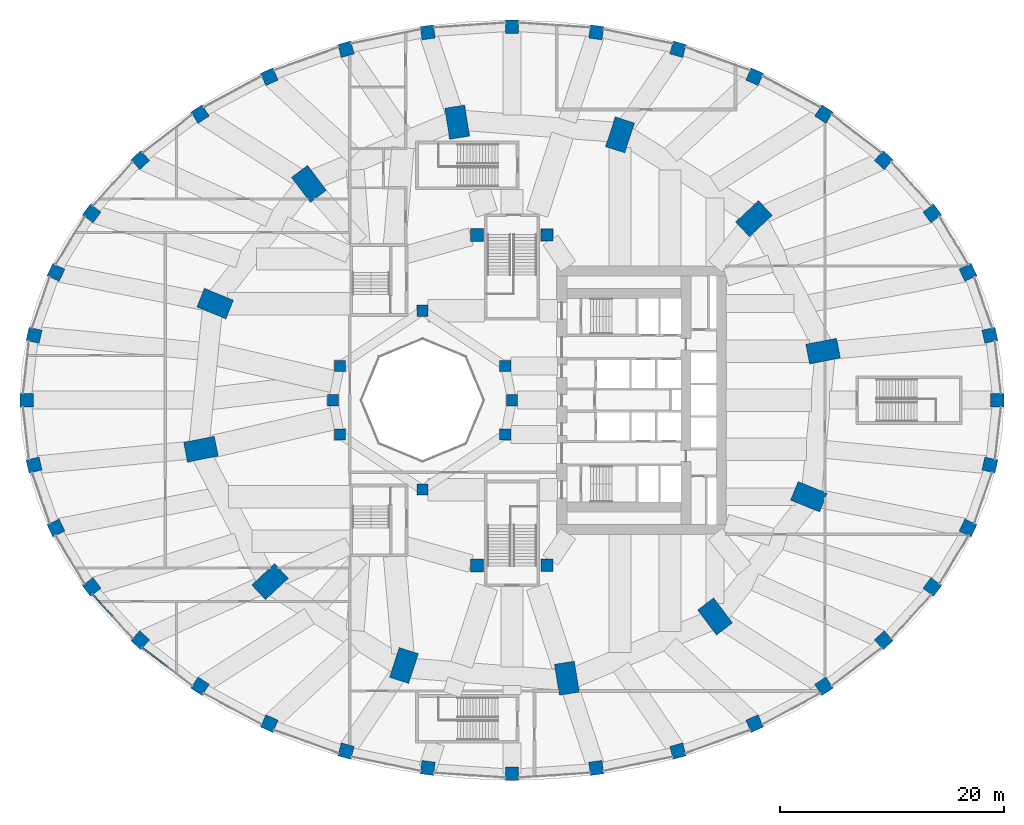
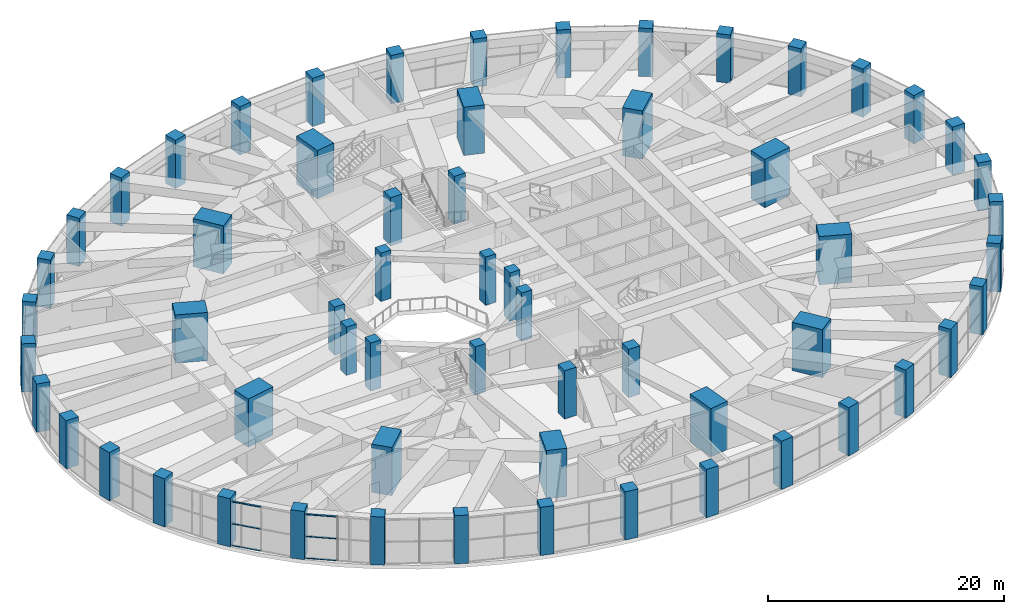
# One storey, part 1 of 32: 60 columns, 6 members, 2 elements without a shape of their own.
"""IFC4 building model written with IfcOpenShell, lengths in metres."""

from ifc_helpers import new_model, si_unit, direction, frame, origin, origin_2d, place, context, subcontext, project, spatial, rectangle, extrude, material, material_profile, profile_set, type_object, element, aggregate, save


model = new_model("IFC4")

# Units and contexts
model_context = context("Model", 3, precision=1e-05, world=origin(), true_north=direction((0.0, 1.0)))
body_context = subcontext(model_context, "Body", "Model", "MODEL_VIEW")
ifc_project = project(units=[si_unit("LENGTHUNIT", "METRE"), si_unit("AREAUNIT", "SQUARE_METRE"), si_unit("VOLUMEUNIT", "CUBIC_METRE"), si_unit("PLANEANGLEUNIT", "RADIAN"), si_unit("MASSUNIT", "GRAM", prefix="KILO")], contexts=[model_context])

# Site, building, storey
site_placement = place(None, origin())
site = spatial("IfcSite", under=ifc_project, at=site_placement, CompositionType="ELEMENT")
building_placement = place(site_placement, origin())
building = spatial("IfcBuilding", under=site, at=building_placement, Name="Taillehof Tower", CompositionType="ELEMENT")
storey_placement = place(building_placement, frame((0.0, 0.0, 7.5)))
storey = spatial("IfcBuildingStorey", under=building, at=storey_placement, Name="L01", CompositionType="ELEMENT", Elevation=7.5)

# Columns
ifc_material_1 = material(Name="Concrete C50/60", Category="concrete")
ifc_material_profile_1 = material_profile(ifc_material_1, rectangle(XDim=1.0, YDim=1.0, at=origin_2d()), Name="RC 1000x1000")
ifc_profile_set_1 = profile_set([ifc_material_profile_1], Name="Concrete C50/60")
column_type_1 = type_object("IfcColumnType", Name="Atrium ring column C50/60 1000x1000", PredefinedType="COLUMN", material=ifc_profile_set_1)
for number, where, z_axis, x_axis, name in (
    (1, (0.0, 0.0, 0.0), (0.0, 0.0, 1.0), (1.0, 0.0, 0.0), "Column AC01"),
    (2, (-16.0, 0.0, 0.0), (0.0, 0.0, 1.0), (1.0, 0.0, 0.0), "Column AC09"),
):
    element("IfcColumn", number, at=place(storey_placement, frame(where, z_axis=z_axis, x_axis=x_axis)), inside=storey, type_object=column_type_1, Name=name, PredefinedType="COLUMN", context=body_context, shape_type="SweptSolid", body=[
        extrude(rectangle(XDim=1.0, YDim=1.0, at=origin_2d()), origin(), (0.0, 0.0, 1.0), 5.0),
    ])
ifc_material_2 = material(Name="Concrete C60/75", Category="concrete")
ifc_material_profile_2 = material_profile(ifc_material_2, rectangle(XDim=1.0, YDim=1.0, at=origin_2d()), Name="RC 1000x1000")
ifc_profile_set_2 = profile_set([ifc_material_profile_2], Name="Concrete C60/75")
column_type_2 = type_object("IfcColumnType", Name="Atrium ring column C60/75 1000x1000", PredefinedType="COLUMN", material=ifc_profile_set_2)
for number, where, z_axis, x_axis, name in (
    (3, (-0.60888671875, 3.0615234375, 0.0), (0.0, 0.0, 1.0), (1.0, 0.0, 0.0), "Column AC02"),
    (4, (-8.0, 8.0, 0.0), (0.0, 0.0, 1.0), (1.0, 0.0, 0.0), "Column AC05"),
    (5, (-15.39111328125, 3.0615234375, 0.0), (0.0, 0.0, 1.0), (1.0, 0.0, 0.0), "Column AC08"),
    (6, (-15.39111328125, -3.0615234375, 0.0), (0.0, 0.0, 1.0), (1.0, 0.0, 0.0), "Column AC10"),
    (7, (-8.0, -8.0, 0.0), (0.0, 0.0, 1.0), (1.0, 0.0, 0.0), "Column AC13"),
    (8, (-0.60888671875, -3.0615234375, 0.0), (0.0, 0.0, 1.0), (1.0, 0.0, 0.0), "Column AC16"),
):
    element("IfcColumn", number, at=place(storey_placement, frame(where, z_axis=z_axis, x_axis=x_axis)), inside=storey, type_object=column_type_2, Name=name, PredefinedType="COLUMN", context=body_context, shape_type="SweptSolid", body=[
        extrude(rectangle(XDim=1.0, YDim=1.0, at=origin_2d()), origin(), (0.0, 0.0, 1.0), 5.0),
    ])
ifc_material_3 = material(Name="Concrete C80/95", Category="concrete")
ifc_material_profile_3 = material_profile(ifc_material_3, rectangle(XDim=2.800048828125, YDim=1.800048828125, at=origin_2d()), Name="RC 2800x1800")
ifc_profile_set_3 = profile_set([ifc_material_profile_3], Name="Concrete C80/95")
column_type_3 = type_object("IfcColumnType", Name="Mega column C80/95 2800x1800", PredefinedType="COLUMN", material=ifc_profile_set_3)
for number, where, z_axis, x_axis, name in (
    (9, (27.82080078125, 4.384521484375, 0.0), (0.0, 0.0, 1.0), (0.98120354895, 0.192975634545, 0.0), "Mega column MG01"),
    (10, (21.640869140625, 16.23046875, 0.0), (0.0, 0.0, 1.0), (0.730113022917, 0.683326403535, 0.0), "Mega column MG02"),
    (11, (9.662109375, 23.727294921875, 0.0), (0.0, 0.0, 1.0), (0.310219183529, 0.950665060981, 0.0), "Mega column MG03"),
    (12, (-4.905517578125, 24.866455078125, 0.0), (0.0, 0.0, 1.0), (-0.15614709407, 0.987733812833, 0.0), "Mega column MG04"),
    (13, (-18.15869140625, 19.342529296875, 0.0), (0.0, 0.0, 1.0), (-0.601173783055, 0.79911831575, 0.0), "Mega column MG05"),
    (14, (-26.54638671875, 8.635986328125, 0.0), (0.0, 0.0, 1.0), (-0.926558045297, 0.37615181602, 0.0), "Mega column MG06"),
    (15, (-27.82080078125, -4.384521484375, 0.0), (0.0, 0.0, 1.0), (-0.98120354895, -0.192975634545, 0.0), "Mega column MG07"),
    (16, (-21.640869140625, -16.23046875, 0.0), (0.0, 0.0, 1.0), (-0.730113022917, -0.683326403535, 0.0), "Mega column MG08"),
    (17, (-9.662109375, -23.727294921875, 0.0), (0.0, 0.0, 1.0), (-0.310219183529, -0.950665060981, 0.0), "Mega column MG09"),
    (18, (4.905517578125, -24.866455078125, 0.0), (0.0, 0.0, 1.0), (0.15614709407, -0.987733812833, 0.0), "Mega column MG10"),
    (19, (18.15869140625, -19.342529296875, 0.0), (0.0, 0.0, 1.0), (0.601173783055, -0.79911831575, 0.0), "Mega column MG11"),
    (20, (26.54638671875, -8.635986328125, 0.0), (0.0, 0.0, 1.0), (0.926558045297, -0.37615181602, 0.0), "Mega column MG12"),
):
    element("IfcColumn", number, at=place(storey_placement, frame(where, z_axis=z_axis, x_axis=x_axis)), inside=storey, type_object=column_type_3, Name=name, PredefinedType="COLUMN", context=body_context, shape_type="SweptSolid", body=[
        extrude(rectangle(XDim=2.800048828125, YDim=1.800048828125, at=origin_2d()), origin(), (0.0, 0.0, 1.0), 5.0),
    ])
ifc_material_4 = material(Name="Concrete C70/85", Category="concrete")
ifc_material_profile_4 = material_profile(ifc_material_4, rectangle(XDim=1.10009765625, YDim=1.10009765625, at=origin_2d()), Name="RC 1100x1100")
ifc_profile_set_4 = profile_set([ifc_material_profile_4], Name="Concrete C70/85")
column_type_4 = type_object("IfcColumnType", Name="Mid-ring column C70/85 1100x1100", PredefinedType="COLUMN", material=ifc_profile_set_4)
for number, where, z_axis, x_axis, name in (
    (21, (3.125732421875, 14.772216796875, 0.0), (0.0, 0.0, 1.0), (1.0, 0.0, 0.0), "Column MC05"),
    (22, (3.125732421875, -14.772216796875, 0.0), (0.0, 0.0, 1.0), (1.0, 0.0, 0.0), "Column MC15"),
):
    element("IfcColumn", number, at=place(storey_placement, frame(where, z_axis=z_axis, x_axis=x_axis)), inside=storey, type_object=column_type_4, Name=name, PredefinedType="COLUMN", context=body_context, shape_type="SweptSolid", body=[
        extrude(rectangle(XDim=1.10009765625, YDim=1.10009765625, at=origin_2d()), origin(), (0.0, 0.0, 1.0), 5.0),
    ])
ifc_material_5 = material(Name="Concrete C80/95", Category="concrete")
ifc_material_profile_5 = material_profile(ifc_material_5, rectangle(XDim=1.14990234375, YDim=1.14990234375, at=origin_2d()), Name="RC 1150x1150")
ifc_profile_set_5 = profile_set([ifc_material_profile_5], Name="Concrete C80/95")
column_type_5 = type_object("IfcColumnType", Name="Mid-ring column C80/95 1150x1150", PredefinedType="COLUMN", material=ifc_profile_set_5)
for number, where, z_axis, x_axis, name in (
    (23, (-3.125732421875, 14.772216796875, 0.0), (0.0, 0.0, 1.0), (1.0, 0.0, 0.0), "Column MC06"),
    (24, (-3.125732421875, -14.772216796875, 0.0), (0.0, 0.0, 1.0), (1.0, 0.0, 0.0), "Column MC14"),
):
    element("IfcColumn", number, at=place(storey_placement, frame(where, z_axis=z_axis, x_axis=x_axis)), inside=storey, type_object=column_type_5, Name=name, PredefinedType="COLUMN", context=body_context, shape_type="SweptSolid", body=[
        extrude(rectangle(XDim=1.14990234375, YDim=1.14990234375, at=origin_2d()), origin(), (0.0, 0.0, 1.0), 5.0),
    ])
ifc_material_6 = material(Name="Concrete C60/75", Category="concrete")
ifc_material_profile_6 = material_profile(ifc_material_6, rectangle(XDim=1.199951171875, YDim=1.199951171875, at=origin_2d()), Name="RC 1200x1200")
ifc_profile_set_6 = profile_set([ifc_material_profile_6], Name="Concrete C60/75")
column_type_6 = type_object("IfcColumnType", Name="Podium column C60/75 1200x1200", PredefinedType="COLUMN", material=ifc_profile_set_6)
for number, where, z_axis, x_axis, name in (
    (25, (43.39990234375, 0.0, 0.0), (0.0, 0.0, 1.0), (1.0, 0.0, 0.0), "Podium column PC01"),
    (26, (42.74072265625, 5.7998046875, 0.0), (0.0, 0.0, 1.0), (0.974939689593, 0.222469327451, 0.0), "Podium column PC02"),
    (27, (40.78271484375, 11.423583984375, 0.0), (0.0, 0.0, 1.0), (0.904668034967, 0.426117057284, 0.0), "Podium column PC03"),
    (28, (37.58544921875, 16.699951171875, 0.0), (0.0, 0.0, 1.0), (0.80109108527, 0.598542457225, 0.0), "Podium column PC04"),
    (29, (33.246337890625, 21.468994140625, 0.0), (0.0, 0.0, 1.0), (0.677415246737, 0.735600831626, 0.0), "Podium column PC05"),
    (30, (27.89697265625, 25.5859375, 0.0), (0.0, 0.0, 1.0), (0.544041391531, 0.839058379554, 0.0), "Podium column PC06"),
    (31, (21.699951171875, 28.92529296875, 0.0), (0.0, 0.0, 1.0), (0.407426758957, 0.913237885814, 0.0), "Podium column PC07"),
    (32, (14.84375, 31.3857421875, 0.0), (0.0, 0.0, 1.0), (0.270745277365, 0.962651024403, 0.0), "Podium column PC08"),
    (33, (7.536376953125, 32.892578125, 0.0), (0.0, 0.0, 1.0), (0.13500518998, 0.990844891332, 0.0), "Podium column PC09"),
    (34, (0.0, 33.39990234375, 0.0), (0.0, 0.0, 1.0), (0.0, 1.0, 0.0), "Podium column PC10"),
    (35, (-7.536376953125, 32.892578125, 0.0), (0.0, 0.0, 1.0), (-0.13500518998, 0.990844891332, 0.0), "Podium column PC11"),
    (36, (-14.84375, 31.3857421875, 0.0), (0.0, 0.0, 1.0), (-0.270745277365, 0.962651024403, 0.0), "Podium column PC12"),
    (37, (-21.699951171875, 28.92529296875, 0.0), (0.0, 0.0, 1.0), (-0.407426758957, 0.913237885814, 0.0), "Podium column PC13"),
    (38, (-27.89697265625, 25.5859375, 0.0), (0.0, 0.0, 1.0), (-0.544041391531, 0.839058379554, 0.0), "Podium column PC14"),
    (39, (-33.246337890625, 21.468994140625, 0.0), (0.0, 0.0, 1.0), (-0.677415246737, 0.735600831626, 0.0), "Podium column PC15"),
    (40, (-37.58544921875, 16.699951171875, 0.0), (0.0, 0.0, 1.0), (-0.80109108527, 0.598542457225, 0.0), "Podium column PC16"),
    (41, (-40.78271484375, 11.423583984375, 0.0), (0.0, 0.0, 1.0), (-0.904668034967, 0.426117057284, 0.0), "Podium column PC17"),
    (42, (-42.74072265625, 5.7998046875, 0.0), (0.0, 0.0, 1.0), (-0.974939689593, 0.222469327451, 0.0), "Podium column PC18"),
    (43, (-43.39990234375, 0.0, 0.0), (0.0, 0.0, 1.0), (-1.0, 0.0, 0.0), "Podium column PC19"),
    (44, (-42.74072265625, -5.7998046875, 0.0), (0.0, 0.0, 1.0), (-0.974939689593, -0.222469327451, 0.0), "Podium column PC20"),
    (45, (-40.78271484375, -11.423583984375, 0.0), (0.0, 0.0, 1.0), (-0.904668034967, -0.426117057284, 0.0), "Podium column PC21"),
    (46, (-37.58544921875, -16.699951171875, 0.0), (0.0, 0.0, 1.0), (-0.80109108527, -0.598542457225, 0.0), "Podium column PC22"),
    (47, (-33.246337890625, -21.468994140625, 0.0), (0.0, 0.0, 1.0), (-0.677415246737, -0.735600831626, 0.0), "Podium column PC23"),
    (48, (-27.89697265625, -25.5859375, 0.0), (0.0, 0.0, 1.0), (-0.544041391531, -0.839058379554, 0.0), "Podium column PC24"),
    (49, (-21.699951171875, -28.92529296875, 0.0), (0.0, 0.0, 1.0), (-0.407426758957, -0.913237885814, 0.0), "Podium column PC25"),
    (50, (-14.84375, -31.3857421875, 0.0), (0.0, 0.0, 1.0), (-0.270745277365, -0.962651024403, 0.0), "Podium column PC26"),
    (51, (-7.536376953125, -32.892578125, 0.0), (0.0, 0.0, 1.0), (-0.13500518998, -0.990844891332, 0.0), "Podium column PC27"),
    (52, (0.0, -33.39990234375, 0.0), (0.0, 0.0, 1.0), (0.0, -1.0, 0.0), "Podium column PC28"),
    (53, (7.536376953125, -32.892578125, 0.0), (0.0, 0.0, 1.0), (0.13500518998, -0.990844891332, 0.0), "Podium column PC29"),
    (54, (14.84375, -31.3857421875, 0.0), (0.0, 0.0, 1.0), (0.270745277365, -0.962651024403, 0.0), "Podium column PC30"),
    (55, (21.699951171875, -28.92529296875, 0.0), (0.0, 0.0, 1.0), (0.407426758957, -0.913237885814, 0.0), "Podium column PC31"),
    (56, (27.89697265625, -25.5859375, 0.0), (0.0, 0.0, 1.0), (0.544041391531, -0.839058379554, 0.0), "Podium column PC32"),
    (57, (33.246337890625, -21.468994140625, 0.0), (0.0, 0.0, 1.0), (0.677415246737, -0.735600831626, 0.0), "Podium column PC33"),
    (58, (37.58544921875, -16.699951171875, 0.0), (0.0, 0.0, 1.0), (0.80109108527, -0.598542457225, 0.0), "Podium column PC34"),
    (59, (40.78271484375, -11.423583984375, 0.0), (0.0, 0.0, 1.0), (0.904668034967, -0.426117057284, 0.0), "Podium column PC35"),
    (60, (42.74072265625, -5.7998046875, 0.0), (0.0, 0.0, 1.0), (0.974939689593, -0.222469327451, 0.0), "Podium column PC36"),
):
    element("IfcColumn", number, at=place(storey_placement, frame(where, z_axis=z_axis, x_axis=x_axis)), inside=storey, type_object=column_type_6, Name=name, PredefinedType="COLUMN", context=body_context, shape_type="SweptSolid", body=[
        extrude(rectangle(XDim=1.199951171875, YDim=1.199951171875, at=origin_2d()), origin(), (0.0, 0.0, 1.0), 5.0),
    ])

# Curtain wall, members
ifc_material_7 = material(Name="Aluminium curtain wall with Clear low-emissivity double glazing", Category="aluminium")
curtain_wall_type = type_object("IfcCurtainWallType", Name="Podium window wall curtain wall", PredefinedType="USERDEFINED", material=ifc_material_7)
curtain_wall_1_placement = place(storey_placement, origin())
curtain_wall_1 = element("IfcCurtainWall", 61, at=curtain_wall_1_placement, inside=storey, type_object=curtain_wall_type, Name="Podium window wall L01 bay 22", ObjectType="WINDOW WALL", PredefinedType="USERDEFINED")
ifc_material_8 = material(Name="Aluminium transom", Category="aluminium")
ifc_material_profile_7 = material_profile(ifc_material_8, rectangle(XDim=0.1201171875, YDim=0.06005859375, at=origin_2d()), Name="AL 120x60")
ifc_profile_set_7 = profile_set([ifc_material_profile_7], Name="Aluminium transom")
member_type = type_object("IfcMemberType", Name="Podium window wall transom 120x60", PredefinedType="USERDEFINED", material=ifc_profile_set_7)
member_1_placement = place(storey_placement, frame((-37.479248046875, -17.406982421875, 0.030029296875), z_axis=(0.672911295482, -0.739723183639, 0.0), x_axis=(0.739723183639, 0.672911295482, 0.0)))
member_1 = element("IfcMember", 62, at=member_1_placement, type_object=member_type, Name="CT222 transom 1.1", ObjectType="TRANSOM", PredefinedType="USERDEFINED", context=body_context, shape_type="SweptSolid", body=[
    extrude(rectangle(XDim=0.1201171875, YDim=0.06005859375, at=origin_2d()), origin(), (0.0, 0.0, 1.0), 2.59814453125),
])
member_2_placement = place(storey_placement, frame((-37.479248046875, -17.406982421875, 2.294921875), z_axis=(0.672911295482, -0.739723183639, 0.0), x_axis=(0.739723183639, 0.672911295482, 0.0)))
member_2 = element("IfcMember", 63, at=member_2_placement, type_object=member_type, Name="CT222 transom 1.2", ObjectType="TRANSOM", PredefinedType="USERDEFINED", context=body_context, shape_type="SweptSolid", body=[
    extrude(rectangle(XDim=0.1201171875, YDim=0.06005859375, at=origin_2d()), origin(), (0.0, 0.0, 1.0), 2.59814453125),
])
member_3_placement = place(storey_placement, frame((-37.479248046875, -17.406982421875, 4.56005859375), z_axis=(0.672911295482, -0.739723183639, 0.0), x_axis=(0.739723183639, 0.672911295482, 0.0)))
member_3 = element("IfcMember", 64, at=member_3_placement, type_object=member_type, Name="CT222 transom 1.3", ObjectType="TRANSOM", PredefinedType="USERDEFINED", context=body_context, shape_type="SweptSolid", body=[
    extrude(rectangle(XDim=0.1201171875, YDim=0.06005859375, at=origin_2d()), origin(), (0.0, 0.0, 1.0), 2.59814453125),
])
aggregate(curtain_wall_1, [member_1, member_2, member_3])

curtain_wall_2_placement = place(storey_placement, origin())
curtain_wall_2 = element("IfcCurtainWall", 65, at=curtain_wall_2_placement, inside=storey, type_object=curtain_wall_type, Name="Podium window wall L01 bay 23", ObjectType="WINDOW WALL", PredefinedType="USERDEFINED")
member_4_placement = place(storey_placement, frame((-33.015625, -22.1484375, 0.030029296875), z_axis=(0.792438906392, -0.609951292839, 0.0), x_axis=(0.609951292839, 0.792438906392, 0.0)))
member_4 = element("IfcMember", 66, at=member_4_placement, type_object=member_type, Name="CT223 transom 1.1", ObjectType="TRANSOM", PredefinedType="USERDEFINED", context=body_context, shape_type="SweptSolid", body=[
    extrude(rectangle(XDim=0.1201171875, YDim=0.06005859375, at=origin_2d()), origin(), (0.0, 0.0, 1.0), 2.74658203125),
])
member_5_placement = place(storey_placement, frame((-33.015625, -22.1484375, 2.294921875), z_axis=(0.792438906392, -0.609951292839, 0.0), x_axis=(0.609951292839, 0.792438906392, 0.0)))
member_5 = element("IfcMember", 67, at=member_5_placement, type_object=member_type, Name="CT223 transom 1.2", ObjectType="TRANSOM", PredefinedType="USERDEFINED", context=body_context, shape_type="SweptSolid", body=[
    extrude(rectangle(XDim=0.1201171875, YDim=0.06005859375, at=origin_2d()), origin(), (0.0, 0.0, 1.0), 2.74658203125),
])
member_6_placement = place(storey_placement, frame((-33.015625, -22.1484375, 4.56005859375), z_axis=(0.792438906392, -0.609951292839, 0.0), x_axis=(0.609951292839, 0.792438906392, 0.0)))
member_6 = element("IfcMember", 68, at=member_6_placement, type_object=member_type, Name="CT223 transom 1.3", ObjectType="TRANSOM", PredefinedType="USERDEFINED", context=body_context, shape_type="SweptSolid", body=[
    extrude(rectangle(XDim=0.1201171875, YDim=0.06005859375, at=origin_2d()), origin(), (0.0, 0.0, 1.0), 2.74658203125),
])
aggregate(curtain_wall_2, [member_4, member_5, member_6])

save(model, "model.ifc")
